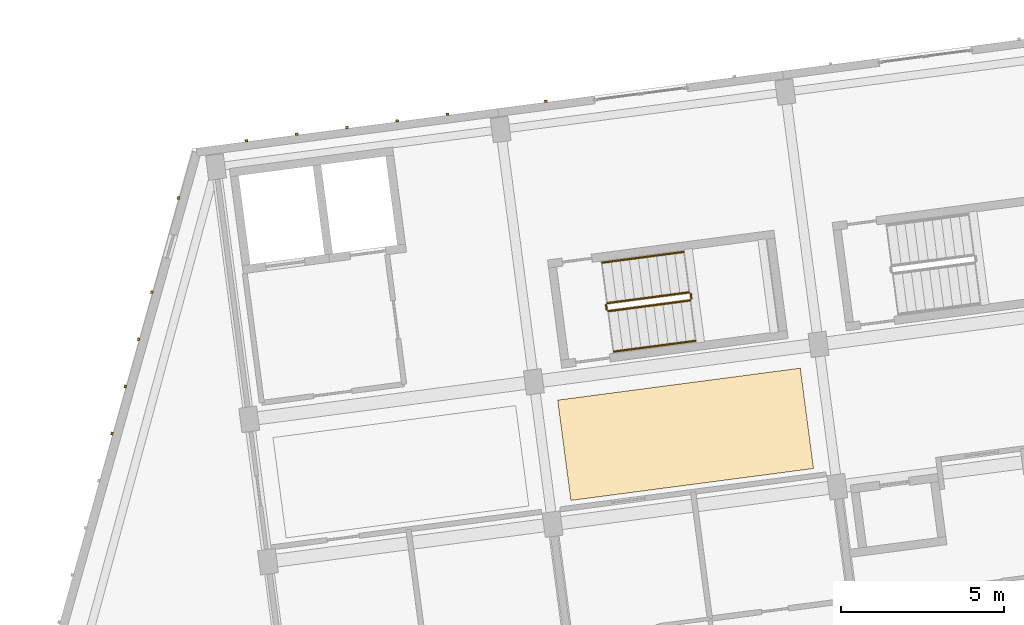
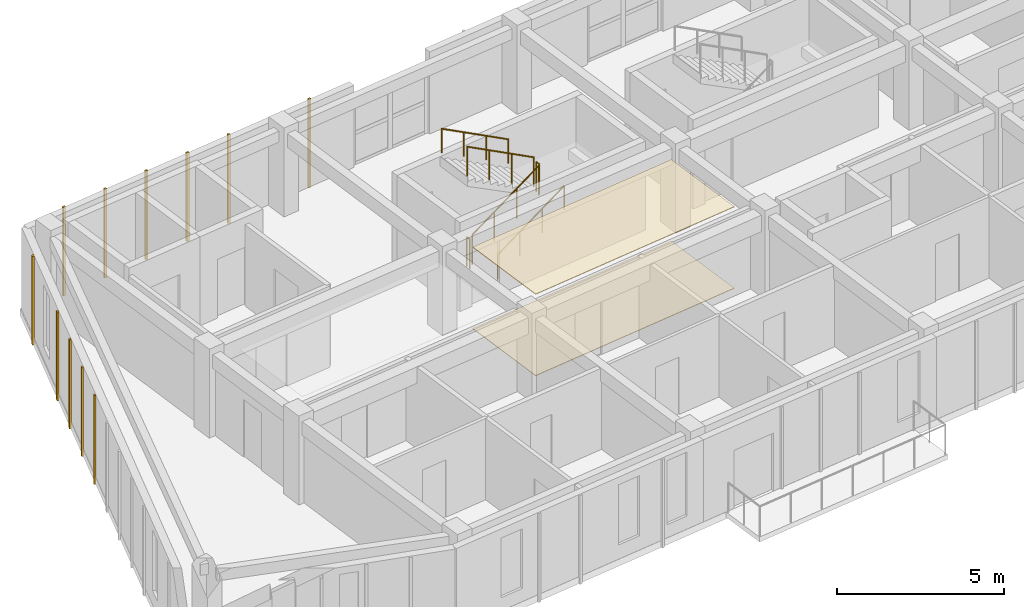
# One storey, part 42 of 64: 13 coverings, 6 railings.
"""IFC4 building model written with IfcOpenShell, lengths in metres."""

from ifc_helpers import new_model, si_unit, direction, frame, origin, origin_2d, place, context, subcontext, project, spatial, polyline, rectangle, circle, outline, extrude, material, layer, layer_set, type_object, element, save


model = new_model("IFC4")

# Units and contexts
model_context = context("Model", 3, precision=1e-05, world=origin(), true_north=direction((0.0, 1.0)))
body_context = subcontext(model_context, "Body", "Model", "MODEL_VIEW")
ifc_project = project(units=[si_unit("LENGTHUNIT", "METRE"), si_unit("AREAUNIT", "SQUARE_METRE"), si_unit("VOLUMEUNIT", "CUBIC_METRE"), si_unit("PLANEANGLEUNIT", "RADIAN"), si_unit("MASSUNIT", "GRAM", prefix="KILO")], contexts=[model_context])

# Site, building, storey
site_placement = place(None, origin())
site = spatial("IfcSite", under=ifc_project, at=site_placement, CompositionType="ELEMENT")
building_placement = place(site_placement, origin())
building = spatial("IfcBuilding", under=site, at=building_placement, Name="Kestramere Prow Commons", CompositionType="ELEMENT")
storey_placement = place(building_placement, frame((0.0, 0.0, 24.64990234375)))
storey = spatial("IfcBuildingStorey", under=building, at=storey_placement, Name="L07", CompositionType="ELEMENT", Elevation=24.64990234375)

# Coverings
ifc_material_1 = material(Name="Mineral Fibre Acoustic Ceiling Tile")
ifc_layer_1 = layer(ifc_material_1, 0.02490234375)
ifc_layer_set_1 = layer_set([ifc_layer_1], Name="Mineral Fibre Acoustic Ceiling Tile")
covering_type_1 = type_object("IfcCoveringType", Name="COV-CEIL-ACOUSTIC", PredefinedType="CEILING", material=ifc_layer_set_1)
covering_1_placement = place(storey_placement, frame((0.0, 0.0, 2.97509765625)))
element("IfcCovering", 1, at=covering_1_placement, inside=storey, type_object=covering_type_1, Name="Block A L07 Corridor Acoustic Ceiling 2", PredefinedType="CEILING", context=body_context, shape_type="SweptSolid", body=[
    extrude(outline(polyline([(19.46630859375, 81.611083984375), (26.902099609375, 82.590087890625), (26.497314453125, 85.66357421875), (19.0615234375, 84.6845703125), (19.46630859375, 81.611083984375)])), origin(), (0.0, 0.0, 1.0), 0.02490234375),
])
ifc_material_2 = material(Name="Weathered Zinc-Titanium Standing-Seam Cladding")
ifc_layer_2 = layer(ifc_material_2, 0.074951171875)
ifc_layer_set_2 = layer_set([ifc_layer_2], Name="Weathered Zinc-Titanium Standing-Seam Cladding")
covering_type_2 = type_object("IfcCoveringType", Name="COV-CLAD-SEAM", PredefinedType="CLADDING", material=ifc_layer_set_2)
for number, where, z_axis, x_axis, name in (
    (2, (9.521484375, 92.635009765625, -0.25), (0.0, 0.0, 1.0), (0.991444861374, 0.13052619222, 0.0), "EW-A-L07-N-0 Standing-Seam Rib 1"),
    (3, (11.062255859375, 92.837890625, -0.25), (0.0, 0.0, 1.0), (0.991444861374, 0.13052619222, 0.0), "EW-A-L07-N-0 Standing-Seam Rib 2"),
    (4, (12.603271484375, 93.040771484375, -0.25), (0.0, 0.0, 1.0), (0.991444861374, 0.13052619222, 0.0), "EW-A-L07-N-0 Standing-Seam Rib 3"),
    (5, (14.14404296875, 93.243408203125, -0.25), (0.0, 0.0, 1.0), (0.991444861374, 0.13052619222, 0.0), "EW-A-L07-N-0 Standing-Seam Rib 4"),
    (6, (15.684814453125, 93.4462890625, -0.25), (0.0, 0.0, 1.0), (0.991444861374, 0.13052619222, 0.0), "EW-A-L07-N-0 Standing-Seam Rib 5"),
    (7, (18.700439453125, 93.843505859375, -0.25), (0.0, 0.0, 1.0), (0.991444861374, 0.13052619222, 0.0), "EW-A-L07-NP-1-L Standing-Seam Rib 1"),
    (8, (5.40283203125, 83.6591796875, -0.25), (0.0, 0.0, 1.0), (0.271159911526, 0.962534312314, 0.0), "EW-A-L07-PRW-N Standing-Seam Rib 7"),
    (9, (5.8095703125, 85.103271484375, -0.25), (0.0, 0.0, 1.0), (0.271159911526, 0.962534312314, 0.0), "EW-A-L07-PRW-N Standing-Seam Rib 8"),
    (10, (6.216552734375, 86.547607421875, -0.25), (0.0, 0.0, 1.0), (0.271159911526, 0.962534312314, 0.0), "EW-A-L07-PRW-N Standing-Seam Rib 9"),
    (11, (6.623291015625, 87.991943359375, -0.25), (0.0, 0.0, 1.0), (0.271159911526, 0.962534312314, 0.0), "EW-A-L07-PRW-N Standing-Seam Rib 10"),
    (12, (7.437255859375, 90.880615234375, -0.25), (0.0, 0.0, 1.0), (0.271159911526, 0.962534312314, 0.0), "EW-A-L07-PRW-N Standing-Seam Rib 12"),
):
    element("IfcCovering", number, at=place(storey_placement, frame(where, z_axis=z_axis, x_axis=x_axis)), inside=storey, type_object=covering_type_2, Name=name, PredefinedType="CLADDING", context=body_context, shape_type="SweptSolid", body=[
        extrude(rectangle(XDim=0.0849609375, YDim=0.06494140625, at=origin_2d()), origin(), (0.0, 0.0, 1.0), 3.25),
    ])
ifc_material_3 = material(Name="Honed Cementitious Terrazzo Tile")
ifc_layer_3 = layer(ifc_material_3, 0.02001953125)
ifc_layer_set_3 = layer_set([ifc_layer_3], Name="Honed Cementitious Terrazzo Tile")
covering_type_3 = type_object("IfcCoveringType", Name="COV-FLOOR-TERRAZZO", PredefinedType="FLOORING", material=ifc_layer_set_3)
covering_2_placement = place(storey_placement, origin())
element("IfcCovering", 13, at=covering_2_placement, inside=storey, type_object=covering_type_3, Name="Block A L07 Corridor Terrazzo Flooring 2", PredefinedType="FLOORING", context=body_context, shape_type="SweptSolid", body=[
    extrude(outline(polyline([(19.46630859375, 81.611083984375), (26.902099609375, 82.590087890625), (26.497314453125, 85.66357421875), (19.0615234375, 84.6845703125), (19.46630859375, 81.611083984375)])), origin(), (0.0, 0.0, 1.0), 0.02001953125),
])

# Railings
ifc_material_4 = material(Name="Galvanised Steel S275JR", Category="steel")
railing_type_1 = type_object("IfcRailingType", Name="RL-ST-GR-1100", PredefinedType="GUARDRAIL", material=ifc_material_4)
railing_1_placement = place(storey_placement, frame((20.618896484375, 87.411376953125, 0.16259765625)))
element("IfcRailing", 14, at=railing_1_placement, inside=storey, type_object=railing_type_1, Name="L07 ST-A1 stair guard 1", PredefinedType="GUARDRAIL", context=body_context, shape_type="SweptSolid", body=[
    extrude(circle(Radius=0.02392578125, at=origin_2d()), frame((0.0, 0.0, 1.076171875), z_axis=(0.85752303711, 0.112867259233, 0.501911568525), x_axis=(-0.130494608992, 0.991449018873, 0.0)), (0.0, 0.0, 1.0), 2.91357421875),
    extrude(circle(Radius=0.02099609375, at=origin_2d()), origin(), (0.0, 0.0, 1.0), 1.052001953125),
    extrude(circle(Radius=0.02099609375, at=origin_2d()), frame((0.832763671875, 0.109619140625, 0.487548828125)), (0.0, 0.0, 1.0), 1.052001953125),
    extrude(circle(Radius=0.02099609375, at=origin_2d()), frame((1.665771484375, 0.21923828125, 0.974853515625)), (0.0, 0.0, 1.0), 1.052001953125),
    extrude(circle(Radius=0.02099609375, at=origin_2d()), frame((2.49853515625, 0.328857421875, 1.46240234375)), (0.0, 0.0, 1.0), 1.052001953125),
])
railing_2_placement = place(storey_placement, frame((23.160400390625, 87.79638671875, 1.625)))
element("IfcRailing", 15, at=railing_2_placement, inside=storey, type_object=railing_type_1, Name="L07 ST-A1 stair guard 2", PredefinedType="GUARDRAIL", context=body_context, shape_type="SweptSolid", body=[
    extrude(circle(Radius=0.02392578125, at=origin_2d()), frame((0.0, 0.0, 1.076171875), z_axis=(-0.130243938252, 0.991481979941, 0.0), x_axis=(-0.991481979941, -0.130243938252, 0.0)), (0.0, 0.0, 1.0), 0.14990234375),
    extrude(circle(Radius=0.02099609375, at=origin_2d()), origin(), (0.0, 0.0, 1.0), 1.052001953125),
    extrude(circle(Radius=0.02099609375, at=origin_2d()), frame((-0.01953125, 0.148681640625, 0.0)), (0.0, 0.0, 1.0), 1.052001953125),
])
railing_3_placement = place(storey_placement, frame((23.084716796875, 87.988037109375, 1.78759765625)))
element("IfcRailing", 16, at=railing_3_placement, inside=storey, type_object=railing_type_1, Name="L07 ST-A1 stair guard 3", PredefinedType="GUARDRAIL", context=body_context, shape_type="SweptSolid", body=[
    extrude(circle(Radius=0.02392578125, at=origin_2d()), frame((0.0, 0.0, 1.076171875), z_axis=(-0.857500858922, -0.112875369585, 0.501947634608), x_axis=(0.130507144135, -0.991447368916, 0.0)), (0.0, 0.0, 1.0), 2.91357421875),
    extrude(circle(Radius=0.02099609375, at=origin_2d()), origin(), (0.0, 0.0, 1.0), 1.052001953125),
    extrude(circle(Radius=0.02099609375, at=origin_2d()), frame((-0.832763671875, -0.109619140625, 0.487548828125)), (0.0, 0.0, 1.0), 1.052001953125),
    extrude(circle(Radius=0.02099609375, at=origin_2d()), frame((-1.66552734375, -0.21923828125, 0.974853515625)), (0.0, 0.0, 1.0), 1.052001953125),
    extrude(circle(Radius=0.02099609375, at=origin_2d()), frame((-2.498291015625, -0.328857421875, 1.46240234375)), (0.0, 0.0, 1.0), 1.052001953125),
])
railing_4_placement = place(storey_placement, frame((20.56298828125, 87.454345703125, 0.0)))
element("IfcRailing", 17, at=railing_4_placement, inside=storey, type_object=railing_type_1, Name="L07 ST-A1 stair guard 4", PredefinedType="GUARDRAIL", context=body_context, shape_type="SweptSolid", body=[
    extrude(circle(Radius=0.02392578125, at=origin_2d()), frame((0.0, 0.0, 1.076171875), z_axis=(-0.131843859112, 0.99127049629, 0.0), x_axis=(-0.99127049629, -0.131843859112, 0.0)), (0.0, 0.0, 1.0), 0.14990234375),
    extrude(circle(Radius=0.02099609375, at=origin_2d()), origin(), (0.0, 0.0, 1.0), 1.052001953125),
    extrude(circle(Radius=0.02099609375, at=origin_2d()), frame((-0.019775390625, 0.148681640625, 0.0)), (0.0, 0.0, 1.0), 1.052001953125),
])
ifc_material_5 = material(Name="Stainless Steel 304", Category="steel")
railing_type_2 = type_object("IfcRailingType", Name="RL-ST-HR-900", PredefinedType="HANDRAIL", material=ifc_material_5)
railing_5_placement = place(storey_placement, frame((20.7822265625, 86.171875, 0.3251953125)))
element("IfcRailing", 18, at=railing_5_placement, inside=storey, type_object=railing_type_2, Name="L07 ST-A1 stair handrail 1", PredefinedType="HANDRAIL", context=body_context, shape_type="SweptSolid", body=[
    extrude(circle(Radius=0.02392578125, at=origin_2d()), frame((0.0, 0.0, 0.8759765625), z_axis=(0.857492745196, 0.112958098361, 0.501942885148), x_axis=(-0.130602379397, 0.991434828164, 0.0)), (0.0, 0.0, 1.0), 2.91357421875),
    extrude(circle(Radius=0.02099609375, at=origin_2d()), origin(), (0.0, 0.0, 1.0), 0.851806640625),
    extrude(circle(Radius=0.02099609375, at=origin_2d()), frame((0.832763671875, 0.109619140625, 0.487548828125)), (0.0, 0.0, 1.0), 0.851806640625),
    extrude(circle(Radius=0.02099609375, at=origin_2d()), frame((1.66552734375, 0.219482421875, 0.974853515625)), (0.0, 0.0, 1.0), 0.851806640625),
    extrude(circle(Radius=0.02099609375, at=origin_2d()), frame((2.498291015625, 0.3291015625, 1.46240234375)), (0.0, 0.0, 1.0), 0.851806640625),
])
railing_6_placement = place(storey_placement, frame((22.921630859375, 89.227294921875, 1.9501953125)))
element("IfcRailing", 19, at=railing_6_placement, inside=storey, type_object=railing_type_2, Name="L07 ST-A1 stair handrail 2", PredefinedType="HANDRAIL", context=body_context, shape_type="SweptSolid", body=[
    extrude(circle(Radius=0.02392578125, at=origin_2d()), frame((0.0, 0.0, 0.8759765625), z_axis=(-0.85752303711, -0.112867259233, 0.501911568525), x_axis=(0.130494608992, -0.991449018873, 0.0)), (0.0, 0.0, 1.0), 2.91357421875),
    extrude(circle(Radius=0.02099609375, at=origin_2d()), origin(), (0.0, 0.0, 1.0), 0.851806640625),
    extrude(circle(Radius=0.02099609375, at=origin_2d()), frame((-0.832763671875, -0.109619140625, 0.487548828125)), (0.0, 0.0, 1.0), 0.851806640625),
    extrude(circle(Radius=0.02099609375, at=origin_2d()), frame((-1.665771484375, -0.21923828125, 0.974853515625)), (0.0, 0.0, 1.0), 0.851806640625),
    extrude(circle(Radius=0.02099609375, at=origin_2d()), frame((-2.49853515625, -0.328857421875, 1.46240234375)), (0.0, 0.0, 1.0), 0.851806640625),
])

save(model, "model.ifc")
